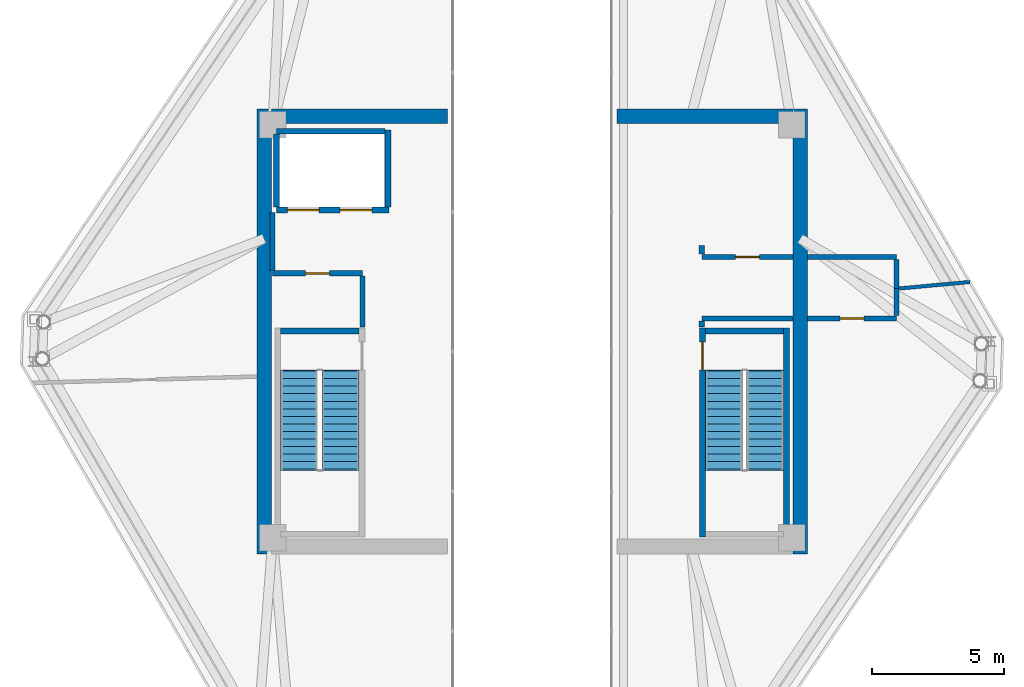
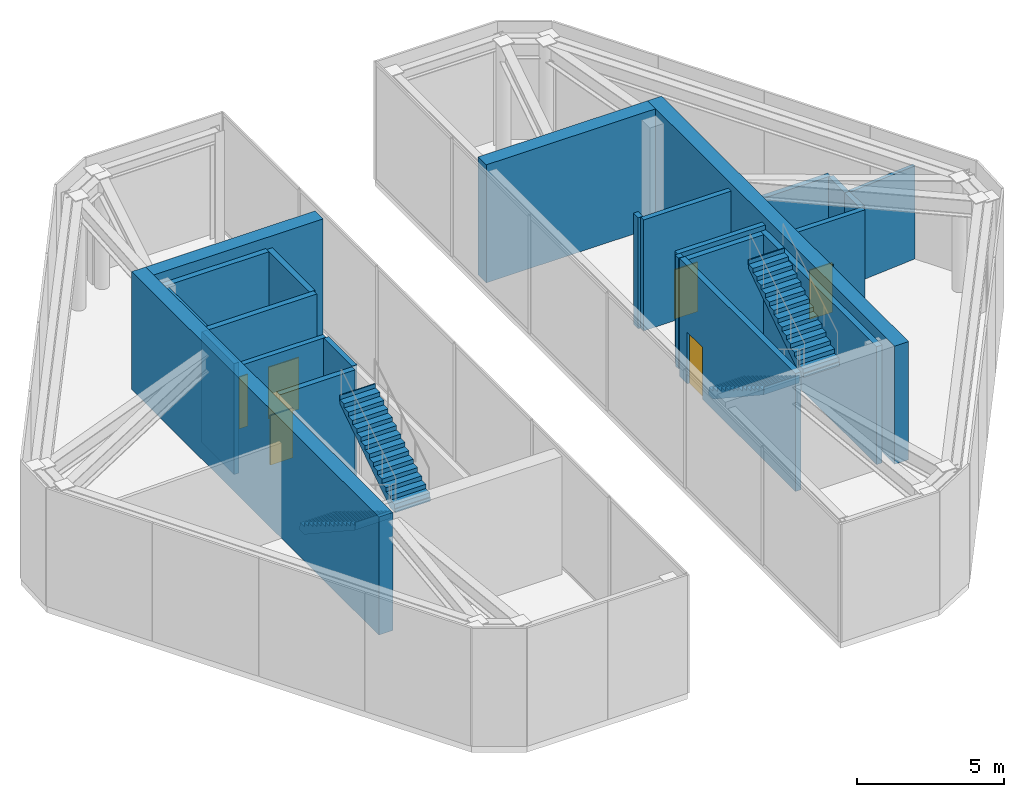
# One storey, part 7 of 8: 24 walls, 6 doors, 4 stair flights, 6 openings, 2 elements without a shape of their own.
"""IFC4 building model written with IfcOpenShell, lengths in metres."""

from ifc_helpers import new_model, si_unit, direction, frame, frame_2d, origin, place, context, subcontext, project, spatial, polyline, rectangle, outline, extrude, source, transform, mapped, material, layer, layer_set, type_object, type_shapes, element, fill, aggregate, save


model = new_model("IFC4")

# Units and contexts
model_context = context("Model", 3, precision=1e-05, world=origin(), true_north=direction((0.0, 1.0)))
body_context = subcontext(model_context, "Body", "Model", "MODEL_VIEW")
ifc_project = project(units=[si_unit("LENGTHUNIT", "METRE"), si_unit("AREAUNIT", "SQUARE_METRE"), si_unit("VOLUMEUNIT", "CUBIC_METRE"), si_unit("PLANEANGLEUNIT", "RADIAN"), si_unit("MASSUNIT", "GRAM", prefix="KILO")], contexts=[model_context])

# Site, building, storey
site_placement = place(None, origin())
site = spatial("IfcSite", under=ifc_project, at=site_placement, CompositionType="ELEMENT")
building_placement = place(site_placement, origin())
building = spatial("IfcBuilding", under=site, at=building_placement, Name="Durnholm Broadcast Tower", CompositionType="ELEMENT")
storey_placement = place(building_placement, frame((0.0, 0.0, 282.10009765625)))
storey = spatial("IfcBuildingStorey", under=building, at=storey_placement, Name="L78", CompositionType="ELEMENT", Elevation=282.10009765625)

# Walls
ifc_material_1 = material(Name="Concrete C70/85", Category="concrete")
ifc_layer_1 = layer(ifc_material_1, 0.550048828125)
ifc_layer_set_1 = layer_set([ifc_layer_1], Name="Concrete C70/85")
wall_type_1 = type_object("IfcWallType", Name="WALL-CW-550", PredefinedType="SHEAR", material=ifc_layer_set_1)
for number, where, z_axis, x_axis, name in (
    (1, (-10.125, -8.39990234375, 0.0), (0.0, 0.0, 1.0), (0.0, 1.0, 0.0), "L78 split-crown core shear wall WCW-W"),
    (2, (10.125, -8.39990234375, 0.0), (0.0, 0.0, 1.0), (0.0, 1.0, 0.0), "L78 split-crown core shear wall WCW-E"),
):
    element("IfcWall", number, at=place(storey_placement, frame(where, z_axis=z_axis, x_axis=x_axis)), inside=storey, type_object=wall_type_1, Name=name, PredefinedType="SHEAR", context=body_context, shape_type="SweptSolid", body=[
        extrude(rectangle(XDim=16.7998046875, YDim=0.550048828125, at=frame_2d((8.39990234375, 0.0))), origin(), (0.0, 0.0, 1.0), 4.89990234375),
    ])
for number, where, z_axis, x_axis, name in (
    (3, (-9.85009765625, 8.125, 0.0), (0.0, 0.0, 1.0), (1.0, 0.0, 0.0), "L78 split-crown core shear wall WCW-NW"),
    (4, (3.199951171875, 8.125, 0.0), (0.0, 0.0, 1.0), (1.0, 0.0, 0.0), "L78 split-crown core shear wall WCW-NE"),
):
    element("IfcWall", number, at=place(storey_placement, frame(where, z_axis=z_axis, x_axis=x_axis)), inside=storey, type_object=wall_type_1, Name=name, PredefinedType="SHEAR", context=body_context, shape_type="SweptSolid", body=[
        extrude(rectangle(XDim=6.650146484375, YDim=0.550048828125, at=frame_2d((3.3251953125, 0.0))), origin(), (0.0, 0.0, 1.0), 4.89990234375),
    ])

# Wall, opening, door
ifc_material_2 = material(Name="Fire-Rated Gypsum Shaftwall", Category="concrete")
ifc_layer_2 = layer(ifc_material_2, 0.199951171875)
ifc_layer_set_2 = layer_set([ifc_layer_2], Name="Fire-Rated Gypsum Shaftwall")
wall_type_2 = type_object("IfcWallType", Name="WALL-LOB-200", PredefinedType="SOLIDWALL", material=ifc_layer_set_2)
wall_1_placement = place(storey_placement, frame((-9.81005859375, 2.18994140625, 0.0), z_axis=(0.0, 0.0, 1.0), x_axis=(1.0, 0.0, 0.0)))
wall_1 = element("IfcWall", 5, at=wall_1_placement, inside=storey, type_object=wall_type_2, Name="L78 Crown Chiller and Heat Rejection Plant corridor partition", PredefinedType="SOLIDWALL", context=body_context, shape_type="SweptSolid", body=[
    extrude(rectangle(XDim=3.400146484375, YDim=0.199951171875, at=frame_2d((1.7001953125, 0.0))), origin(), (0.0, 0.0, 1.0), 4.60498046875),
])
opening_1_placement = place(wall_1_placement, frame((1.25, 0.0, 0.0)))
opening_1 = element("IfcOpeningElement", 6, at=opening_1_placement, cuts=wall_1, Name="Opening DC-60L", PredefinedType="OPENING", context=body_context, shape_type="SweptSolid", body=[
    extrude(rectangle(XDim=0.89990234375, YDim=2.050048828125, at=frame_2d((0.449951171875, 1.02490234375))), frame((0.0, 0.10986328125, 0.0), z_axis=(0.0, -1.0, 0.0), x_axis=(1.0, 0.0, 0.0)), (0.0, 0.0, 1.0), 0.219970703125),
])
ifc_material_3 = material(Name="Fire-Rated Core Service Door", Category="steel")
ifc_layer_3 = layer(ifc_material_3, 0.050048828125)
ifc_layer_set_3 = layer_set([ifc_layer_3], Name="Fire-Rated Core Service Door")
door_type_1 = type_object("IfcDoorType", Name="DOOR-CORE-FD60-L", OperationType="NOTDEFINED", PredefinedType="DOOR", material=ifc_layer_set_3)
shared_shape_1 = source(origin(), body_context, "Body", "SweptSolid", [
    extrude(rectangle(XDim=0.89990234375, YDim=2.050048828125, at=frame_2d((0.449951171875, 1.02490234375))), frame((0.0, 0.02490234375, 0.0), z_axis=(0.0, -1.0, 0.0), x_axis=(1.0, 0.0, 0.0)), (0.0, 0.0, 1.0), 0.050048828125),
])
type_shapes(door_type_1, [shared_shape_1])
door_1_placement = place(opening_1_placement, origin())
door_1 = element("IfcDoor", 7, at=door_1_placement, inside=storey, type_object=door_type_1, Name="L78 Crown Chiller and Heat Rejection Plant entrance door", OperationType="SINGLE_SWING_LEFT", OverallHeight=2.050048828125, OverallWidth=0.89990234375, PredefinedType="DOOR", context=body_context, shape_type="MappedRepresentation", body=[
    mapped(shared_shape_1, transform((0.0, 0.0, 0.0), x_axis=(1.0, 0.0, 0.0), y_axis=(0.0, 1.0, 0.0), z_axis=(0.0, 0.0, 1.0), scale=1.0)),
])
fill(opening_1, door_1)

# Walls
wall_2_placement = place(storey_placement, frame((-9.81005859375, 4.489990234375, 0.0), z_axis=(0.0, 0.0, 1.0), x_axis=(0.0, -1.0, 0.0)))
element("IfcWall", 8, at=wall_2_placement, inside=storey, type_object=wall_type_2, Name="L78 Crown Chiller and Heat Rejection Plant corridor partition", PredefinedType="SOLIDWALL", context=body_context, shape_type="SweptSolid", body=[
    extrude(rectangle(XDim=2.196044921875, YDim=0.199951171875, at=frame_2d((1.09814453125, 0.0))), origin(), (0.0, 0.0, 1.0), 4.60498046875),
])
wall_3_placement = place(storey_placement, frame((-6.409912109375, 2.0859375, 0.0), z_axis=(0.0, 0.0, 1.0), x_axis=(0.0, -1.0, 0.0)))
element("IfcWall", 9, at=wall_3_placement, inside=storey, type_object=wall_type_2, Name="L78 Crown Chiller and Heat Rejection Plant corridor partition", PredefinedType="SOLIDWALL", context=body_context, shape_type="SweptSolid", body=[
    extrude(rectangle(XDim=1.926025390625, YDim=0.199951171875, at=frame_2d((0.962890625, 0.0))), origin(), (0.0, 0.0, 1.0), 4.60498046875),
])
wall_4_placement = place(storey_placement, frame((13.760009765625, 2.81005859375, 0.0), z_axis=(0.0, 0.0, 1.0), x_axis=(-1.0, 0.0, 0.0)))
element("IfcWall", 10, at=wall_4_placement, inside=storey, type_object=wall_type_2, Name="L78 Crown Electrical Switchgear Plant corridor partition", PredefinedType="SOLIDWALL", context=body_context, shape_type="SweptSolid", body=[
    extrude(rectangle(XDim=3.35498046875, YDim=0.199951171875, at=frame_2d((1.677490234375, 0.0))), origin(), (0.0, 0.0, 1.0), 3.861328125),
])

# Wall, opening, door
wall_5_placement = place(storey_placement, frame((9.844970703125, 2.81005859375, 0.0), z_axis=(0.0, 0.0, 1.0), x_axis=(-1.0, 0.0, 0.0)))
wall_5 = element("IfcWall", 11, at=wall_5_placement, inside=storey, type_object=wall_type_2, Name="L78 Crown Electrical Switchgear Plant corridor partition", PredefinedType="SOLIDWALL", context=body_context, shape_type="SweptSolid", body=[
    extrude(rectangle(XDim=3.43505859375, YDim=0.199951171875, at=frame_2d((1.717529296875, 0.0))), origin(), (0.0, 0.0, 1.0), 4.60498046875),
])
opening_2_placement = place(wall_5_placement, frame((1.267578125, 0.0, 0.0)))
opening_2 = element("IfcOpeningElement", 12, at=opening_2_placement, cuts=wall_5, Name="Opening DC-60R", PredefinedType="OPENING", context=body_context, shape_type="SweptSolid", body=[
    extrude(rectangle(XDim=0.89990234375, YDim=2.050048828125, at=frame_2d((0.449951171875, 1.02490234375))), frame((0.0, 0.10986328125, 0.0), z_axis=(0.0, -1.0, 0.0), x_axis=(1.0, 0.0, 0.0)), (0.0, 0.0, 1.0), 0.219970703125),
])
ifc_layer_4 = layer(ifc_material_3, 0.050048828125)
ifc_layer_set_4 = layer_set([ifc_layer_4], Name="Fire-Rated Core Service Door")
door_type_2 = type_object("IfcDoorType", Name="DOOR-CORE-FD60-R", OperationType="NOTDEFINED", PredefinedType="DOOR", material=ifc_layer_set_4)
shared_shape_2 = source(origin(), body_context, "Body", "SweptSolid", [
    extrude(rectangle(XDim=0.89990234375, YDim=2.050048828125, at=frame_2d((0.449951171875, 1.02490234375))), frame((0.0, 0.02490234375, 0.0), z_axis=(0.0, -1.0, 0.0), x_axis=(1.0, 0.0, 0.0)), (0.0, 0.0, 1.0), 0.050048828125),
])
type_shapes(door_type_2, [shared_shape_2])
door_2_placement = place(opening_2_placement, origin())
door_2 = element("IfcDoor", 13, at=door_2_placement, inside=storey, type_object=door_type_2, Name="L78 Crown Electrical Switchgear Plant entrance door", OperationType="SINGLE_SWING_RIGHT", OverallHeight=2.050048828125, OverallWidth=0.89990234375, PredefinedType="DOOR", context=body_context, shape_type="MappedRepresentation", body=[
    mapped(shared_shape_2, transform((0.0, 0.0, 0.0), x_axis=(1.0, 0.0, 0.0), y_axis=(0.0, 1.0, 0.0), z_axis=(0.0, 0.0, 1.0), scale=1.0)),
])
fill(opening_2, door_2)

# Walls
wall_6_placement = place(storey_placement, frame((13.760009765625, 1.610107421875, 0.0), z_axis=(0.0, 0.0, 1.0), x_axis=(0.0, 1.0, 0.0)))
element("IfcWall", 14, at=wall_6_placement, inside=storey, type_object=wall_type_2, Name="L78 Crown Electrical Switchgear Plant corridor partition", PredefinedType="SOLIDWALL", context=body_context, shape_type="SweptSolid", body=[
    extrude(rectangle(XDim=1.095947265625, YDim=0.199951171875, at=frame_2d((0.5478515625, 0.0))), origin(), (0.0, 0.0, 1.0), 3.861328125),
])
wall_7_placement = place(storey_placement, frame((6.409912109375, 2.9140625, 0.0), z_axis=(0.0, 0.0, 1.0), x_axis=(0.0, 1.0, 0.0)))
element("IfcWall", 15, at=wall_7_placement, inside=storey, type_object=wall_type_2, Name="L78 Crown Electrical Switchgear Plant corridor partition", PredefinedType="SOLIDWALL", context=body_context, shape_type="SweptSolid", body=[
    extrude(rectangle(XDim=0.325927734375, YDim=0.199951171875, at=frame_2d((0.1630859375, 0.0))), origin(), (0.0, 0.0, 1.0), 4.60498046875),
])
wall_8_placement = place(storey_placement, frame((6.409912109375, 0.489990234375, 0.0), z_axis=(0.0, 0.0, 1.0), x_axis=(1.0, 0.0, 0.0)))
element("IfcWall", 16, at=wall_8_placement, inside=storey, type_object=wall_type_2, Name="L78 Crown Telecom Cooling Plant corridor partition", PredefinedType="SOLIDWALL", context=body_context, shape_type="SweptSolid", body=[
    extrude(rectangle(XDim=3.43505859375, YDim=0.199951171875, at=frame_2d((1.717529296875, 0.0))), origin(), (0.0, 0.0, 1.0), 4.60498046875),
])

# Wall, opening, door
wall_9_placement = place(storey_placement, frame((10.405029296875, 0.489990234375, 0.0), z_axis=(0.0, 0.0, 1.0), x_axis=(1.0, 0.0, 0.0)))
wall_9 = element("IfcWall", 17, at=wall_9_placement, inside=storey, type_object=wall_type_2, Name="L78 Crown Telecom Cooling Plant corridor partition", PredefinedType="SOLIDWALL", context=body_context, shape_type="SweptSolid", body=[
    extrude(rectangle(XDim=3.35498046875, YDim=0.199951171875, at=frame_2d((1.677490234375, 0.0))), origin(), (0.0, 0.0, 1.0), 3.861328125),
])
opening_3_placement = place(wall_9_placement, frame((1.2275390625, 0.0, 0.0)))
opening_3 = element("IfcOpeningElement", 18, at=opening_3_placement, cuts=wall_9, Name="Opening DC-60R", PredefinedType="OPENING", context=body_context, shape_type="SweptSolid", body=[
    extrude(rectangle(XDim=0.89990234375, YDim=2.050048828125, at=frame_2d((0.449951171875, 1.02490234375))), frame((0.0, 0.10986328125, 0.0), z_axis=(0.0, -1.0, 0.0), x_axis=(1.0, 0.0, 0.0)), (0.0, 0.0, 1.0), 0.219970703125),
])
door_3_placement = place(opening_3_placement, origin())
door_3 = element("IfcDoor", 19, at=door_3_placement, inside=storey, type_object=door_type_2, Name="L78 Crown Telecom Cooling Plant entrance door", OperationType="SINGLE_SWING_RIGHT", OverallHeight=2.050048828125, OverallWidth=0.89990234375, PredefinedType="DOOR", context=body_context, shape_type="MappedRepresentation", body=[
    mapped(shared_shape_2, transform((0.0, 0.0, 0.0), x_axis=(1.0, 0.0, 0.0), y_axis=(0.0, 1.0, 0.0), z_axis=(0.0, 0.0, 1.0), scale=1.0)),
])
fill(opening_3, door_3)

# Walls
wall_10_placement = place(storey_placement, frame((13.760009765625, 0.593994140625, 0.0), z_axis=(0.0, 0.0, 1.0), x_axis=(0.0, 1.0, 0.0)))
element("IfcWall", 20, at=wall_10_placement, inside=storey, type_object=wall_type_2, Name="L78 Crown Telecom Cooling Plant corridor partition", PredefinedType="SOLIDWALL", context=body_context, shape_type="SweptSolid", body=[
    extrude(rectangle(XDim=1.01611328125, YDim=0.199951171875, at=frame_2d((0.508056640625, 0.0))), origin(), (0.0, 0.0, 1.0), 3.861328125),
])
wall_11_placement = place(storey_placement, frame((6.409912109375, 0.159912109375, 0.0), z_axis=(0.0, 0.0, 1.0), x_axis=(0.0, 1.0, 0.0)))
element("IfcWall", 21, at=wall_11_placement, inside=storey, type_object=wall_type_2, Name="L78 Crown Telecom Cooling Plant corridor partition", PredefinedType="SOLIDWALL", context=body_context, shape_type="SweptSolid", body=[
    extrude(rectangle(XDim=0.22607421875, YDim=0.199951171875, at=frame_2d((0.113037109375, 0.0))), origin(), (0.0, 0.0, 1.0), 4.60498046875),
])
ifc_material_4 = material(Name="Gypsum Metal Stud Partition", Category="concrete")
ifc_layer_5 = layer(ifc_material_4, 0.135009765625)
ifc_layer_set_5 = layer_set([ifc_layer_5], Name="Gypsum Metal Stud Partition")
wall_type_3 = type_object("IfcWallType", Name="WALL-PART-135", PredefinedType="PARTITIONING", material=ifc_layer_set_5)
wall_12_placement = place(storey_placement, frame((16.535888671875, 1.865966796875, 0.0), z_axis=(0.0, 0.0, 1.0), x_axis=(-0.995776794664, -0.091807272096, 0.0)))
element("IfcWall", 22, at=wall_12_placement, inside=storey, type_object=wall_type_3, Name="L78 room dividing partition 3.4", PredefinedType="PARTITIONING", context=body_context, shape_type="SweptSolid", body=[
    extrude(rectangle(XDim=2.68310546875, YDim=0.135009765625, at=frame_2d((1.341552734375, 0.0))), origin(), (0.0, 0.0, 1.0), 3.861328125),
])

# Wall, openings, doors
ifc_material_5 = material(Name="Concrete Blockwork C30/37", Category="masonry")
ifc_layer_6 = layer(ifc_material_5, 0.219970703125)
ifc_layer_set_6 = layer_set([ifc_layer_6], Name="Concrete Blockwork C30/37")
wall_type_4 = type_object("IfcWallType", Name="WALL-SHAFT-220", PredefinedType="SOLIDWALL", material=ifc_layer_set_6)
wall_13_placement = place(storey_placement, frame((-9.659912109375, 4.580078125, 0.0), z_axis=(0.0, 0.0, 1.0), x_axis=(1.0, 0.0, 0.0)))
wall_13 = element("IfcWall", 23, at=wall_13_placement, inside=storey, type_object=wall_type_4, Name="L78 crown FSAE hoistway front wall", PredefinedType="SOLIDWALL", context=body_context, shape_type="SweptSolid", body=[
    extrude(rectangle(XDim=4.260009765625, YDim=0.219970703125, at=frame_2d((2.1298828125, 0.0))), origin(), (0.0, 0.0, 1.0), 4.60498046875),
])
opening_4_placement = place(wall_13_placement, frame((0.409912109375, 0.0, 0.0)))
opening_4 = element("IfcOpeningElement", 24, at=opening_4_placement, cuts=wall_13, Name="Opening LD-FSAE-2", PredefinedType="OPENING", context=body_context, shape_type="SweptSolid", body=[
    extrude(rectangle(XDim=1.199951171875, YDim=2.14990234375, at=frame_2d((0.60009765625, 1.074951171875))), frame((0.0, 0.1201171875, 0.0), z_axis=(0.0, -1.0, 0.0), x_axis=(1.0, 0.0, 0.0)), (0.0, 0.0, 1.0), 0.239990234375),
])
opening_5_placement = place(wall_13_placement, frame((2.409912109375, 0.0, 0.0)))
opening_5 = element("IfcOpeningElement", 25, at=opening_5_placement, cuts=wall_13, Name="Opening LD-FSAE-1", PredefinedType="OPENING", context=body_context, shape_type="SweptSolid", body=[
    extrude(rectangle(XDim=1.199951171875, YDim=2.14990234375, at=frame_2d((0.60009765625, 1.074951171875))), frame((0.0, 0.1201171875, 0.0), z_axis=(0.0, -1.0, 0.0), x_axis=(1.0, 0.0, 0.0)), (0.0, 0.0, 1.0), 0.239990234375),
])
ifc_material_6 = material(Name="Fire Service Access Sliding Landing Door", Category="steel")
ifc_layer_7 = layer(ifc_material_6, 0.050048828125)
ifc_layer_set_7 = layer_set([ifc_layer_7], Name="Fire Service Access Sliding Landing Door")
door_type_3 = type_object("IfcDoorType", Name="DOOR-LIFT-FSAE", OperationType="DOUBLE_DOOR_SLIDING", PredefinedType="DOOR", material=ifc_layer_set_7)
shared_shape_3 = source(origin(), body_context, "Body", "SweptSolid", [
    extrude(rectangle(XDim=1.199951171875, YDim=2.14990234375, at=frame_2d((0.60009765625, 1.074951171875))), frame((0.0, 0.02490234375, 0.0), z_axis=(0.0, -1.0, 0.0), x_axis=(1.0, 0.0, 0.0)), (0.0, 0.0, 1.0), 0.050048828125),
])
type_shapes(door_type_3, [shared_shape_3])
door_4_placement = place(opening_4_placement, origin())
door_4 = element("IfcDoor", 26, at=door_4_placement, inside=storey, type_object=door_type_3, Name="L78 crown Fire Service Access Elevator FSAE-2 sliding landing door", OperationType="DOUBLE_DOOR_SLIDING", OverallHeight=2.14990234375, OverallWidth=1.199951171875, PredefinedType="DOOR", context=body_context, shape_type="MappedRepresentation", body=[
    mapped(shared_shape_3, transform((0.0, 0.0, 0.0), x_axis=(1.0, 0.0, 0.0), y_axis=(0.0, 1.0, 0.0), z_axis=(0.0, 0.0, 1.0), scale=1.0)),
])
fill(opening_4, door_4)
door_5_placement = place(opening_5_placement, origin())
door_5 = element("IfcDoor", 27, at=door_5_placement, inside=storey, type_object=door_type_3, Name="L78 crown Fire Service Access Elevator FSAE-1 sliding landing door", OperationType="DOUBLE_DOOR_SLIDING", OverallHeight=2.14990234375, OverallWidth=1.199951171875, PredefinedType="DOOR", context=body_context, shape_type="MappedRepresentation", body=[
    mapped(shared_shape_3, transform((0.0, 0.0, 0.0), x_axis=(1.0, 0.0, 0.0), y_axis=(0.0, 1.0, 0.0), z_axis=(0.0, 0.0, 1.0), scale=1.0)),
])
fill(opening_5, door_5)

# Walls
wall_14_placement = place(storey_placement, frame((-5.449951171875, 4.694091796875, 0.0), z_axis=(0.0, 0.0, 1.0), x_axis=(0.0, 1.0, 0.0)))
element("IfcWall", 28, at=wall_14_placement, inside=storey, type_object=wall_type_4, Name="L78 crown FSAE east shaft wall", PredefinedType="SOLIDWALL", context=body_context, shape_type="SweptSolid", body=[
    extrude(rectangle(XDim=2.906005859375, YDim=0.219970703125, at=frame_2d((1.453125, 0.0))), origin(), (0.0, 0.0, 1.0), 4.60498046875),
])
wall_15_placement = place(storey_placement, frame((-9.659912109375, 7.56005859375, 0.0), z_axis=(0.0, 0.0, 1.0), x_axis=(1.0, 0.0, 0.0)))
element("IfcWall", 29, at=wall_15_placement, inside=storey, type_object=wall_type_4, Name="L78 crown FSAE north shaft wall", PredefinedType="SOLIDWALL", context=body_context, shape_type="SweptSolid", body=[
    extrude(rectangle(XDim=4.095947265625, YDim=0.219970703125, at=frame_2d((2.0478515625, 0.0))), origin(), (0.0, 0.0, 1.0), 4.60498046875),
])
wall_16_placement = place(storey_placement, frame((-9.659912109375, 4.694091796875, 0.0), z_axis=(0.0, 0.0, 1.0), x_axis=(0.0, 1.0, 0.0)))
element("IfcWall", 30, at=wall_16_placement, inside=storey, type_object=wall_type_4, Name="L78 crown FSAE west shaft wall", PredefinedType="SOLIDWALL", context=body_context, shape_type="SweptSolid", body=[
    extrude(rectangle(XDim=2.751953125, YDim=0.219970703125, at=frame_2d((1.3759765625, 0.0))), origin(), (0.0, 0.0, 1.0), 4.60498046875),
])
ifc_material_7 = material(Name="Concrete C50/60", Category="concrete")
ifc_layer_8 = layer(ifc_material_7, 0.219970703125)
ifc_layer_set_8 = layer_set([ifc_layer_8], Name="Concrete C50/60")
wall_type_5 = type_object("IfcWallType", Name="WALL-SW-220", PredefinedType="SHEAR", material=ifc_layer_set_8)
wall_17_placement = place(storey_placement, frame((-6.5400390625, 0.010009765625, -0.280029296875), z_axis=(0.0, 0.0, 1.0), x_axis=(-1.0, 0.0, 0.0)))
element("IfcWall", 31, at=wall_17_placement, inside=storey, type_object=wall_type_5, Name="L78 stair ST-1 structural shaft wall N", PredefinedType="SHEAR", context=body_context, shape_type="SweptSolid", body=[
    extrude(rectangle(XDim=2.9599609375, YDim=0.219970703125, at=frame_2d((1.47998046875, 0.0))), origin(), (0.0, 0.0, 1.0), 4.89990234375),
])
wall_18_placement = place(storey_placement, frame((9.610107421875, -7.77001953125, -0.280029296875), z_axis=(0.0, 0.0, 1.0), x_axis=(0.0, 1.0, 0.0)))
element("IfcWall", 32, at=wall_18_placement, inside=storey, type_object=wall_type_5, Name="L78 stair ST-2 structural shaft wall E", PredefinedType="SHEAR", context=body_context, shape_type="SweptSolid", body=[
    extrude(rectangle(XDim=7.89013671875, YDim=0.219970703125, at=frame_2d((3.945068359375, 0.0))), origin(), (0.0, 0.0, 1.0), 4.89990234375),
])

# Wall, opening, door
wall_19_placement = place(storey_placement, frame((6.429931640625, 0.1201171875, -0.280029296875), z_axis=(0.0, 0.0, 1.0), x_axis=(0.0, -1.0, 0.0)))
wall_19 = element("IfcWall", 33, at=wall_19_placement, inside=storey, type_object=wall_type_5, Name="L78 stair ST-2 structural shaft wall W", PredefinedType="SHEAR", context=body_context, shape_type="SweptSolid", body=[
    extrude(rectangle(XDim=7.89013671875, YDim=0.219970703125, at=frame_2d((3.945068359375, 0.0))), origin(), (0.0, 0.0, 1.0), 4.89990234375),
])
opening_6_placement = place(wall_19_placement, frame((0.52001953125, 0.0, 0.0)))
opening_6 = element("IfcOpeningElement", 34, at=opening_6_placement, cuts=wall_19, Name="Opening DS-90R", PredefinedType="OPENING", context=body_context, shape_type="SweptSolid", body=[
    extrude(rectangle(XDim=1.050048828125, YDim=2.14990234375, at=frame_2d((0.52490234375, 1.074951171875))), frame((0.0, 0.1201171875, 0.0), z_axis=(0.0, -1.0, 0.0), x_axis=(1.0, 0.0, 0.0)), (0.0, 0.0, 1.0), 0.239990234375),
])
ifc_material_8 = material(Name="Fire-Rated Steel Door", Category="steel")
ifc_layer_9 = layer(ifc_material_8, 0.050048828125)
ifc_layer_set_9 = layer_set([ifc_layer_9], Name="Fire-Rated Steel Door")
door_type_4 = type_object("IfcDoorType", Name="DOOR-ST-FD90-R", OperationType="NOTDEFINED", PredefinedType="DOOR", material=ifc_layer_set_9)
shared_shape_4 = source(origin(), body_context, "Body", "SweptSolid", [
    extrude(rectangle(XDim=1.050048828125, YDim=2.14990234375, at=frame_2d((0.52490234375, 1.074951171875))), frame((0.0, 0.02490234375, 0.0), z_axis=(0.0, -1.0, 0.0), x_axis=(1.0, 0.0, 0.0)), (0.0, 0.0, 1.0), 0.050048828125),
])
type_shapes(door_type_4, [shared_shape_4])
door_6_placement = place(opening_6_placement, origin())
door_6 = element("IfcDoor", 35, at=door_6_placement, inside=storey, type_object=door_type_4, Name="L78 exit stair ST-2 fire door", OperationType="SINGLE_SWING_RIGHT", OverallHeight=2.14990234375, OverallWidth=1.050048828125, PredefinedType="DOOR", context=body_context, shape_type="MappedRepresentation", body=[
    mapped(shared_shape_4, transform((0.0, 0.0, 0.0), x_axis=(1.0, 0.0, 0.0), y_axis=(0.0, 1.0, 0.0), z_axis=(0.0, 0.0, 1.0), scale=1.0)),
])
fill(opening_6, door_6)

# Wall
wall_20_placement = place(storey_placement, frame((9.5, 0.010009765625, -0.280029296875), z_axis=(0.0, 0.0, 1.0), x_axis=(-1.0, 0.0, 0.0)))
element("IfcWall", 36, at=wall_20_placement, inside=storey, type_object=wall_type_5, Name="L78 stair ST-2 structural shaft wall N", PredefinedType="SHEAR", context=body_context, shape_type="SweptSolid", body=[
    extrude(rectangle(XDim=2.9599609375, YDim=0.219970703125, at=frame_2d((1.47998046875, 0.0))), origin(), (0.0, 0.0, 1.0), 4.89990234375),
])

# Stair, stair flights
stair_type = type_object("IfcStairType", Name="STAIR-DL-28R1750", PredefinedType="HALF_TURN_STAIR", material=ifc_material_7)
stair_1_placement = place(storey_placement, origin())
stair_1 = element("IfcStair", 37, at=stair_1_placement, inside=storey, type_object=stair_type, Name="L78 ST-1", PredefinedType="HALF_TURN_STAIR")
stair_flight_type = type_object("IfcStairFlightType", Name="FLIGHT-DL-28R1750", PredefinedType="STRAIGHT", material=ifc_material_7)
stair_flight_1_placement = place(storey_placement, frame((-8.800048828125, -1.5, 0.0), z_axis=(0.0, 0.0, 1.0), x_axis=(0.0, -1.0, 0.0)))
stair_flight_1 = element("IfcStairFlight", 38, at=stair_flight_1_placement, type_object=stair_flight_type, Name="ST-1 flight 1", NumberOfRisers=14, NumberOfTreads=13, PredefinedType="STRAIGHT", RiserHeight=0.175, TreadLength=0.285, context=body_context, shape_type="SweptSolid", body=[
    extrude(outline(polyline([(-0.0400390625, -0.14990234375), (-0.0400390625, 0.0), (0.0, 0.0), (0.0, 0.175048828125), (0.284912109375, 0.175048828125), (0.284912109375, 0.35009765625), (0.570068359375, 0.35009765625), (0.570068359375, 0.52490234375), (0.85498046875, 0.52490234375), (0.85498046875, 0.699951171875), (1.139892578125, 0.699951171875), (1.139892578125, 0.875), (1.425048828125, 0.875), (1.425048828125, 1.050048828125), (1.7099609375, 1.050048828125), (1.7099609375, 1.22509765625), (1.9951171875, 1.22509765625), (1.9951171875, 1.39990234375), (2.280029296875, 1.39990234375), (2.280029296875, 1.574951171875), (2.56494140625, 1.574951171875), (2.56494140625, 1.75), (2.85009765625, 1.75), (2.85009765625, 1.925048828125), (3.135009765625, 1.925048828125), (3.135009765625, 2.10009765625), (3.419921875, 2.10009765625), (3.419921875, 2.27490234375), (3.705078125, 2.27490234375), (3.705078125, 2.449951171875), (3.7451171875, 2.449951171875), (3.7451171875, 2.300048828125), (3.705078125, 2.09912109375), (0.286376953125, -0.14990234375), (-0.0400390625, -0.14990234375)])), frame((0.0, 0.699951171875, 0.0), z_axis=(0.0, -1.0, 0.0), x_axis=(1.0, 0.0, 0.0)), (0.0, 0.0, 1.0), 1.39990234375),
])
stair_flight_2_placement = place(storey_placement, frame((-7.239990234375, -5.205078125, 2.449951171875), z_axis=(0.0, 0.0, 1.0), x_axis=(0.0, 1.0, 0.0)))
stair_flight_2 = element("IfcStairFlight", 39, at=stair_flight_2_placement, type_object=stair_flight_type, Name="ST-1 flight 2", NumberOfRisers=14, NumberOfTreads=13, PredefinedType="STRAIGHT", RiserHeight=0.175, TreadLength=0.285, context=body_context, shape_type="SweptSolid", body=[
    extrude(outline(polyline([(-0.0400390625, -0.14990234375), (-0.0400390625, 0.0), (0.0, 0.0), (0.0, 0.175048828125), (0.284912109375, 0.175048828125), (0.284912109375, 0.35009765625), (0.570068359375, 0.35009765625), (0.570068359375, 0.52490234375), (0.85498046875, 0.52490234375), (0.85498046875, 0.699951171875), (1.139892578125, 0.699951171875), (1.139892578125, 0.875), (1.425048828125, 0.875), (1.425048828125, 1.050048828125), (1.7099609375, 1.050048828125), (1.7099609375, 1.22509765625), (1.9951171875, 1.22509765625), (1.9951171875, 1.39990234375), (2.280029296875, 1.39990234375), (2.280029296875, 1.574951171875), (2.56494140625, 1.574951171875), (2.56494140625, 1.75), (2.85009765625, 1.75), (2.85009765625, 1.925048828125), (3.135009765625, 1.925048828125), (3.135009765625, 2.10009765625), (3.419921875, 2.10009765625), (3.419921875, 2.27490234375), (3.705078125, 2.27490234375), (3.705078125, 2.449951171875), (3.7451171875, 2.449951171875), (3.7451171875, 2.300048828125), (3.705078125, 2.09912109375), (0.286376953125, -0.14990234375), (-0.0400390625, -0.14990234375)])), frame((0.0, 0.699951171875, 0.0), z_axis=(0.0, -1.0, 0.0), x_axis=(1.0, 0.0, 0.0)), (0.0, 0.0, 1.0), 1.39990234375),
])
aggregate(stair_1, [stair_flight_1, stair_flight_2])

stair_2_placement = place(storey_placement, origin())
stair_2 = element("IfcStair", 40, at=stair_2_placement, inside=storey, type_object=stair_type, Name="L78 ST-2", PredefinedType="HALF_TURN_STAIR")
stair_flight_3_placement = place(storey_placement, frame((7.239990234375, -1.5, 0.0), z_axis=(0.0, 0.0, 1.0), x_axis=(0.0, -1.0, 0.0)))
stair_flight_3 = element("IfcStairFlight", 41, at=stair_flight_3_placement, type_object=stair_flight_type, Name="ST-2 flight 1", NumberOfRisers=14, NumberOfTreads=13, PredefinedType="STRAIGHT", RiserHeight=0.175, TreadLength=0.285, context=body_context, shape_type="SweptSolid", body=[
    extrude(outline(polyline([(-0.0400390625, -0.14990234375), (-0.0400390625, 0.0), (0.0, 0.0), (0.0, 0.175048828125), (0.284912109375, 0.175048828125), (0.284912109375, 0.35009765625), (0.570068359375, 0.35009765625), (0.570068359375, 0.52490234375), (0.85498046875, 0.52490234375), (0.85498046875, 0.699951171875), (1.139892578125, 0.699951171875), (1.139892578125, 0.875), (1.425048828125, 0.875), (1.425048828125, 1.050048828125), (1.7099609375, 1.050048828125), (1.7099609375, 1.22509765625), (1.9951171875, 1.22509765625), (1.9951171875, 1.39990234375), (2.280029296875, 1.39990234375), (2.280029296875, 1.574951171875), (2.56494140625, 1.574951171875), (2.56494140625, 1.75), (2.85009765625, 1.75), (2.85009765625, 1.925048828125), (3.135009765625, 1.925048828125), (3.135009765625, 2.10009765625), (3.419921875, 2.10009765625), (3.419921875, 2.27490234375), (3.705078125, 2.27490234375), (3.705078125, 2.449951171875), (3.7451171875, 2.449951171875), (3.7451171875, 2.300048828125), (3.705078125, 2.09912109375), (0.286376953125, -0.14990234375), (-0.0400390625, -0.14990234375)])), frame((0.0, 0.699951171875, 0.0), z_axis=(0.0, -1.0, 0.0), x_axis=(1.0, 0.0, 0.0)), (0.0, 0.0, 1.0), 1.39990234375),
])
stair_flight_4_placement = place(storey_placement, frame((8.800048828125, -5.205078125, 2.449951171875), z_axis=(0.0, 0.0, 1.0), x_axis=(0.0, 1.0, 0.0)))
stair_flight_4 = element("IfcStairFlight", 42, at=stair_flight_4_placement, type_object=stair_flight_type, Name="ST-2 flight 2", NumberOfRisers=14, NumberOfTreads=13, PredefinedType="STRAIGHT", RiserHeight=0.175, TreadLength=0.285, context=body_context, shape_type="SweptSolid", body=[
    extrude(outline(polyline([(-0.0400390625, -0.14990234375), (-0.0400390625, 0.0), (0.0, 0.0), (0.0, 0.175048828125), (0.284912109375, 0.175048828125), (0.284912109375, 0.35009765625), (0.570068359375, 0.35009765625), (0.570068359375, 0.52490234375), (0.85498046875, 0.52490234375), (0.85498046875, 0.699951171875), (1.139892578125, 0.699951171875), (1.139892578125, 0.875), (1.425048828125, 0.875), (1.425048828125, 1.050048828125), (1.7099609375, 1.050048828125), (1.7099609375, 1.22509765625), (1.9951171875, 1.22509765625), (1.9951171875, 1.39990234375), (2.280029296875, 1.39990234375), (2.280029296875, 1.574951171875), (2.56494140625, 1.574951171875), (2.56494140625, 1.75), (2.85009765625, 1.75), (2.85009765625, 1.925048828125), (3.135009765625, 1.925048828125), (3.135009765625, 2.10009765625), (3.419921875, 2.10009765625), (3.419921875, 2.27490234375), (3.705078125, 2.27490234375), (3.705078125, 2.449951171875), (3.7451171875, 2.449951171875), (3.7451171875, 2.300048828125), (3.705078125, 2.09912109375), (0.286376953125, -0.14990234375), (-0.0400390625, -0.14990234375)])), frame((0.0, 0.699951171875, 0.0), z_axis=(0.0, -1.0, 0.0), x_axis=(1.0, 0.0, 0.0)), (0.0, 0.0, 1.0), 1.39990234375),
])
aggregate(stair_2, [stair_flight_3, stair_flight_4])

save(model, "model.ifc")
